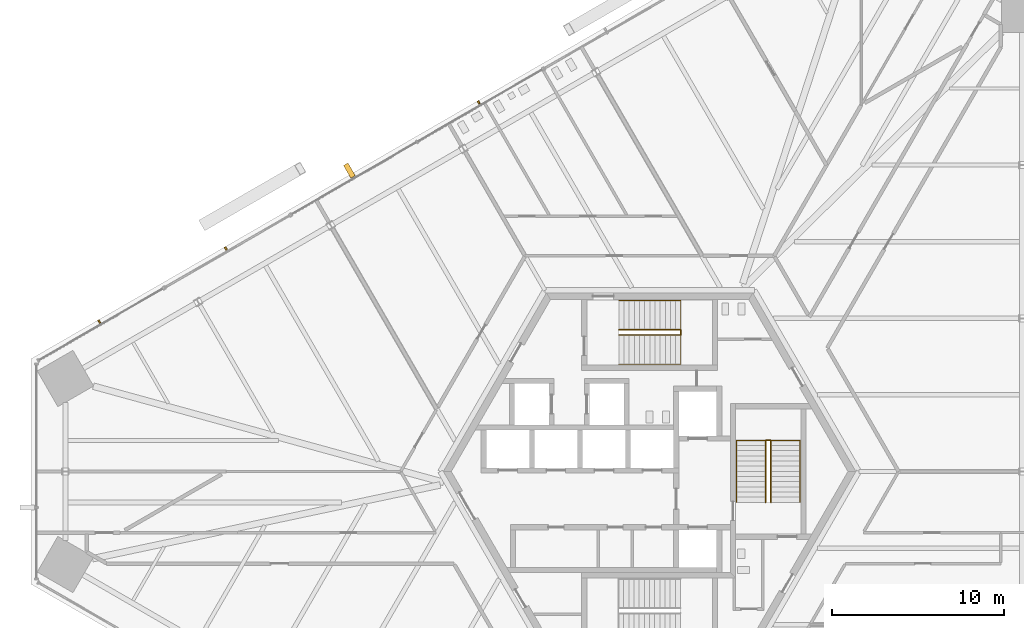
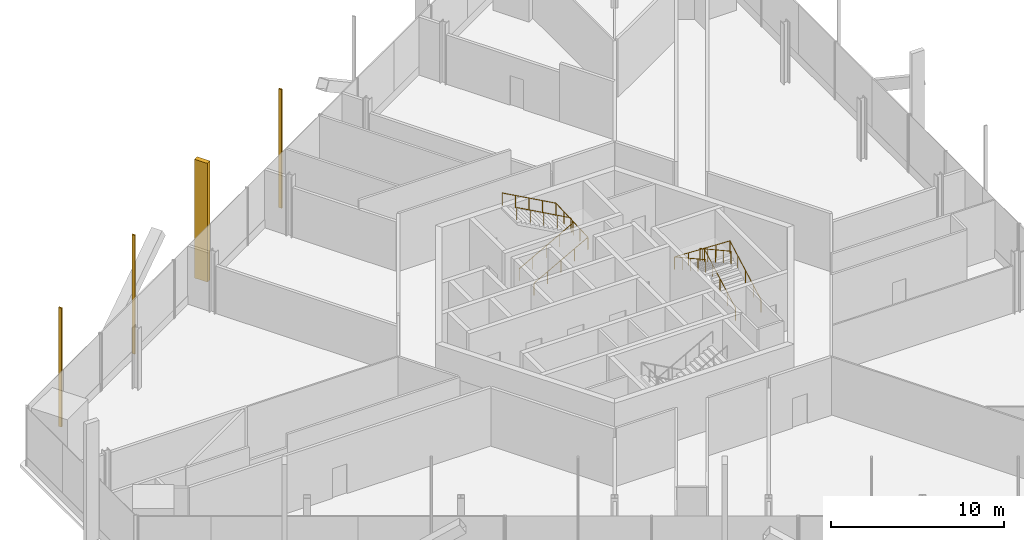
# One storey, part 17 of 19: 4 railings, 4 shading devices.
"""IFC4 building model written with IfcOpenShell, lengths in metres."""

import ifcopenshell
import ifcopenshell.guid

model = None  # the IFC model being written
_history = None  # IfcOwnerHistory: only IFC2X3 demands one
_inside = {}  # id of a spatial element -> (the spatial element, [elements in it])
_under = {}  # id of a project, library or spatial element -> (it, [spatial elements below it])
_declared = {}  # id of a project -> (the project, [libraries it declares])
_typed = {}  # id of a type object -> (the type object, [elements of that type])
_made_of = {}  # id of a material, layer set ... -> (it, [elements and type objects made of it])


def new_model(schema):
    """Start an empty IFC model of exactly this schema.

    Asked for "IFC4X3", IfcOpenShell would pick the latest addendum, in which some entities
    have other attributes; the version numbers below select the first issue.
    IFC2X3 requires an IfcOwnerHistory on every rooted entity: one is made here for all.
    """
    global model, _history
    if schema == "IFC4X3":
        model = ifcopenshell.file(schema_version=(4, 3, 0, 0))
    else:
        model = ifcopenshell.file(schema=schema)
    _inside.clear()
    _under.clear()
    _declared.clear()
    _typed.clear()
    _made_of.clear()
    _history = None
    if model.schema == "IFC2X3":
        org = make("IfcOrganization", Name="unknown")
        user = make(
            "IfcPersonAndOrganization",
            ThePerson=make("IfcPerson", FamilyName="unknown"),
            TheOrganization=org,
        )
        app = make(
            "IfcApplication",
            ApplicationDeveloper=org,
            Version="unknown",
            ApplicationFullName="unknown",
            ApplicationIdentifier="unknown",
        )
        _history = make(
            "IfcOwnerHistory",
            OwningUser=user,
            OwningApplication=app,
            ChangeAction="ADDED",
            CreationDate=0,
        )
    return model


def make(cls, **values):
    """One entity of the class cls with the attributes given. An attribute that is None is left unset."""
    return model.create_entity(
        cls, **{name: value for name, value in values.items() if value is not None}
    )


def rooted(cls, **values):
    """An entity with a GlobalId (a new one), such as an element, a storey or a relation."""
    return make(cls, GlobalId=ifcopenshell.guid.new(), OwnerHistory=_history, **values)


def si_unit(unit_type, name, prefix=None):
    """IfcSIUnit, for example si_unit("LENGTHUNIT", "METRE", prefix="MILLI")."""
    return make("IfcSIUnit", UnitType=unit_type, Prefix=prefix, Name=name)


def assignment(units):
    """IfcUnitAssignment: the units of a project."""
    return None if units is None else make("IfcUnitAssignment", Units=units)


def point(xyz):
    """IfcCartesianPoint."""
    return None if xyz is None else make("IfcCartesianPoint", Coordinates=xyz)


def direction(xyz):
    """IfcDirection."""
    return None if xyz is None else make("IfcDirection", DirectionRatios=xyz)


def frame(location, z_axis=None, x_axis=None):
    """IfcAxis2Placement3D, a coordinate frame: its origin and axes. An axis left out is left unset."""
    return make(
        "IfcAxis2Placement3D",
        Location=point(location),
        Axis=direction(z_axis),
        RefDirection=direction(x_axis),
    )


def frame_2d(location, x_axis=None):
    """IfcAxis2Placement2D, a coordinate frame in the plane: its origin and x axis."""
    return make(
        "IfcAxis2Placement2D", Location=point(location), RefDirection=direction(x_axis)
    )


def origin():
    """The frame at (0, 0, 0) with its axes left unset."""
    return frame((0.0, 0.0, 0.0))


def origin_2d():
    """The frame at (0, 0) in the plane with its x axis left unset."""
    return frame_2d((0.0, 0.0))


def place(relative_to, where):
    """IfcLocalPlacement: puts the frame where relative to a parent placement (None: the world)."""
    return make(
        "IfcLocalPlacement", PlacementRelTo=relative_to, RelativePlacement=where
    )


def context(
    kind, dimensions, precision=None, world=None, true_north=None, identifier=None
):
    """IfcGeometricRepresentationContext, for example the 3D "Model" context."""
    return make(
        "IfcGeometricRepresentationContext",
        ContextIdentifier=identifier,
        ContextType=kind,
        CoordinateSpaceDimension=dimensions,
        Precision=precision,
        WorldCoordinateSystem=world,
        TrueNorth=true_north,
    )


def subcontext(parent, identifier, kind, view, scale=None):
    """IfcGeometricRepresentationSubContext, for example "Body" below "Model"."""
    return make(
        "IfcGeometricRepresentationSubContext",
        ContextIdentifier=identifier,
        ContextType=kind,
        ParentContext=parent,
        TargetScale=scale,
        TargetView=view,
    )


def project(units=None, contexts=None):
    """IfcProject with its units and contexts."""
    return rooted(
        "IfcProject",
        Name="project",
        RepresentationContexts=contexts,
        UnitsInContext=assignment(units),
    )


def spatial(cls, under=None, at=None, **own):
    """A site, building, storey or space (cls), placed at a placement, below another one or the project."""
    s = rooted(cls, ObjectPlacement=at, **own)
    if under is not None:
        _under.setdefault(under.id(), (under, []))[1].append(s)
    return s


def profile(cls, at=None, kind="AREA", **sizes):
    """A parametric profile (cls). Its sizes go by their IFC names, for example OverallWidth=200.0."""
    return make(cls, ProfileType=kind, Position=at, **sizes)


def rectangle(**sizes):
    """IfcRectangleProfileDef."""
    return profile("IfcRectangleProfileDef", **sizes)


def circle(**sizes):
    """IfcCircleProfileDef."""
    return profile("IfcCircleProfileDef", **sizes)


def extrude(swept, where, along, depth):
    """IfcExtrudedAreaSolid: the profile swept, set in the frame where, extruded along a direction by depth."""
    return make(
        "IfcExtrudedAreaSolid",
        SweptArea=swept,
        Position=where,
        ExtrudedDirection=direction(along),
        Depth=depth,
    )


def shape(context_of_items, identifier, shape_type, items):
    """IfcShapeRepresentation: the items that make up one representation, for example the "Body"."""
    return make(
        "IfcShapeRepresentation",
        ContextOfItems=context_of_items,
        RepresentationIdentifier=identifier,
        RepresentationType=shape_type,
        Items=items,
    )


def source(mapping_origin, context_of_items, identifier, shape_type, items):
    """IfcRepresentationMap: a shape defined once, which mapped items show again and again."""
    return make(
        "IfcRepresentationMap",
        MappingOrigin=mapping_origin,
        MappedRepresentation=shape(context_of_items, identifier, shape_type, items),
    )


def transform(
    local_origin,
    x_axis=None,
    y_axis=None,
    z_axis=None,
    scale=None,
    scale2=None,
    scale3=None,
    uniform=True,
):
    """IfcCartesianTransformationOperator3D, or its non-uniform kind. x_axis, y_axis, z_axis: its Axis1, 2, 3."""
    if uniform:
        return make(
            "IfcCartesianTransformationOperator3D",
            Axis1=direction(x_axis),
            Axis2=direction(y_axis),
            LocalOrigin=point(local_origin),
            Scale=scale,
            Axis3=direction(z_axis),
        )
    return make(
        "IfcCartesianTransformationOperator3DnonUniform",
        Axis1=direction(x_axis),
        Axis2=direction(y_axis),
        LocalOrigin=point(local_origin),
        Scale=scale,
        Axis3=direction(z_axis),
        Scale2=scale2,
        Scale3=scale3,
    )


def mapped(mapping_source, mapping_target):
    """IfcMappedItem: shows the shape of a source again, moved by a transform."""
    return make(
        "IfcMappedItem", MappingSource=mapping_source, MappingTarget=mapping_target
    )


def material(Name=None, Category=None):
    """IfcMaterial."""
    return make("IfcMaterial", Name=Name, Category=Category)


def made_of(thing, what):
    """Note that an element or type object is made of a material, layer set ...; save() writes the relation."""
    if what is not None:
        _made_of.setdefault(what.id(), (what, []))[1].append(thing)
    return thing


def type_object(cls, material=None, **own):
    """A type object (cls), such as IfcWallType, which elements share."""
    return made_of(rooted(cls, **own), material)


def element(
    cls,
    number,
    at=None,
    inside=None,
    cuts=None,
    type_object=None,
    material=None,
    context=None,
    identifier="Body",
    shape_type=None,
    held_by="IfcProductDefinitionShape",
    body=None,
    shapes=None,
    **own,
):
    """One element of the class cls, such as IfcWall. Its Tag is "e" and its number.

    at: its placement. inside: the storey or other place that contains it. cuts: it is an
    opening in that element (IfcRelVoidsElement). A single representation is given by context,
    identifier, shape_type and body (its items); several are given by shapes. held_by: the class
    of the entity that holds the representations. save() writes the other relations.
    """
    e = rooted(cls, Tag="e%d" % number, ObjectPlacement=at, **own)
    if body is not None:
        shapes = [shape(context, identifier, shape_type, body)]
    if shapes is not None:
        e.Representation = make(held_by, Representations=shapes)
    if inside is not None:
        _inside.setdefault(inside.id(), (inside, []))[1].append(e)
    if cuts is not None:
        rooted(
            "IfcRelVoidsElement", RelatingBuildingElement=cuts, RelatedOpeningElement=e
        )
    if type_object is not None:
        _typed.setdefault(type_object.id(), (type_object, []))[1].append(e)
    return made_of(e, material)


def aggregate(whole, parts):
    """IfcRelAggregates: a whole, such as a stair, and the parts it consists of."""
    return rooted("IfcRelAggregates", RelatingObject=whole, RelatedObjects=parts)


def save(model, path):
    """Write the relations noted so far, then the file.

    IfcRelAggregates (storeys below a building ...), IfcRelContainedInSpatialStructure (elements
    in a storey), IfcRelDefinesByType, IfcRelAssociatesMaterial and IfcRelDeclares: one each for
    every whole, place, type object, material and project.
    """
    for whole, parts in _under.values():
        aggregate(whole, parts)
    for where, things in _inside.values():
        rooted(
            "IfcRelContainedInSpatialStructure",
            RelatedElements=things,
            RelatingStructure=where,
        )
    for kind, things in _typed.values():
        rooted("IfcRelDefinesByType", RelatedObjects=things, RelatingType=kind)
    for what, things in _made_of.values():
        rooted("IfcRelAssociatesMaterial", RelatedObjects=things, RelatingMaterial=what)
    for by, libraries in _declared.values():
        rooted("IfcRelDeclares", RelatingContext=by, RelatedDefinitions=libraries)
    model.write(path)


model = new_model("IFC4")

# Units and contexts
model_context = context("Model", 3, precision=1e-05, world=origin(), true_north=direction((0.0, 1.0)))
body_context = subcontext(model_context, "Body", "Model", "MODEL_VIEW")
ifc_project = project(units=[si_unit("LENGTHUNIT", "METRE"), si_unit("AREAUNIT", "SQUARE_METRE"), si_unit("VOLUMEUNIT", "CUBIC_METRE"), si_unit("PLANEANGLEUNIT", "RADIAN"), si_unit("MASSUNIT", "GRAM", prefix="KILO")], contexts=[model_context])

# Site, building, storey
site_placement = place(None, origin())
site = spatial("IfcSite", under=ifc_project, at=site_placement, CompositionType="ELEMENT")
building_placement = place(site_placement, origin())
building = spatial("IfcBuilding", under=site, at=building_placement, Name="Triune Harvest Tower", CompositionType="ELEMENT")
storey_placement = place(building_placement, frame((0.0, 0.0, 24.60009765625)))
storey = spatial("IfcBuildingStorey", under=building, at=storey_placement, Name="L05", CompositionType="ELEMENT", Elevation=24.60009765625)

# Railings
ifc_material_1 = material(Name="Stainless steel AISI 316", Category="steel")
railing_type = type_object("IfcRailingType", Name="Stair handrail", PredefinedType="HANDRAIL", material=ifc_material_1)
shared_shape_1 = source(origin(), body_context, "Body", "SweptSolid", [
    extrude(circle(Radius=0.02392578125, at=origin_2d()), frame((0.0, 0.0, 0.8759765625), z_axis=(0.875746539262, 0.0, 0.482771166259), x_axis=(0.0, 1.0, 0.0)), (0.0, 0.0, 1.0), 4.11083984375),
    extrude(circle(Radius=0.02392578125, at=origin_2d()), frame((3.60009765625, 0.0, 2.8603515625), z_axis=(0.0, 0.999003709343, 0.04462721948), x_axis=(-1.0, 0.0, 0.0)), (0.0, 0.0, 1.0), 3.70361328125),
    extrude(circle(Radius=0.02392578125, at=origin_2d()), frame((3.60009765625, 3.699951171875, 3.02587890625), z_axis=(-0.875746539262, 0.0, 0.482771166259), x_axis=(0.0, -1.0, 0.0)), (0.0, 0.0, 1.0), 4.11083984375),
    extrude(circle(Radius=0.02099609375, at=origin_2d()), origin(), (0.0, 0.0, 1.0), 0.851806640625),
    extrude(circle(Radius=0.02099609375, at=origin_2d()), frame((0.89990234375, 0.0, 0.49609375)), (0.0, 0.0, 1.0), 0.851806640625),
    extrude(circle(Radius=0.02099609375, at=origin_2d()), frame((1.800048828125, 0.0, 0.9921875)), (0.0, 0.0, 1.0), 0.851806640625),
    extrude(circle(Radius=0.02099609375, at=origin_2d()), frame((2.7001953125, 0.0, 1.488525390625)), (0.0, 0.0, 1.0), 0.851806640625),
    extrude(circle(Radius=0.02099609375, at=origin_2d()), frame((3.60009765625, 0.0, 1.984619140625)), (0.0, 0.0, 1.0), 0.851806640625),
    extrude(circle(Radius=0.02099609375, at=origin_2d()), frame((3.60009765625, 0.925048828125, 2.02587890625)), (0.0, 0.0, 1.0), 0.851806640625),
    extrude(circle(Radius=0.02099609375, at=origin_2d()), frame((3.60009765625, 1.85009765625, 2.0673828125)), (0.0, 0.0, 1.0), 0.851806640625),
    extrude(circle(Radius=0.02099609375, at=origin_2d()), frame((3.60009765625, 2.77490234375, 2.108642578125)), (0.0, 0.0, 1.0), 0.851806640625),
    extrude(circle(Radius=0.02099609375, at=origin_2d()), frame((3.60009765625, 3.699951171875, 2.14990234375)), (0.0, 0.0, 1.0), 0.851806640625),
    extrude(circle(Radius=0.02099609375, at=origin_2d()), frame((2.7001953125, 3.699951171875, 2.64599609375)), (0.0, 0.0, 1.0), 0.851806640625),
    extrude(circle(Radius=0.02099609375, at=origin_2d()), frame((1.800048828125, 3.699951171875, 3.14208984375)), (0.0, 0.0, 1.0), 0.851806640625),
    extrude(circle(Radius=0.02099609375, at=origin_2d()), frame((0.89990234375, 3.699951171875, 3.638427734375)), (0.0, 0.0, 1.0), 0.851806640625),
    extrude(circle(Radius=0.02099609375, at=origin_2d()), frame((0.0, 3.699951171875, 4.134521484375)), (0.0, 0.0, 1.0), 0.851806640625),
])
railing_1_placement = place(storey_placement, frame((-1.7900390625, 6.239990234375, 0.165283203125)))
element("IfcRailing", 1, at=railing_1_placement, inside=storey, type_object=railing_type, Name="Exit stair north wall handrail", PredefinedType="HANDRAIL", context=body_context, shape_type="MappedRepresentation", body=[
    mapped(shared_shape_1, transform((0.0, 0.0, 0.0), scale=1.0)),
])
shared_shape_2 = source(origin(), body_context, "Body", "SweptSolid", [
    extrude(circle(Radius=0.02392578125, at=origin_2d()), frame((0.0, 0.0, 0.8759765625), z_axis=(0.875746539262, 0.0, 0.482771166259), x_axis=(0.0, 1.0, 0.0)), (0.0, 0.0, 1.0), 4.11083984375),
    extrude(circle(Radius=0.02392578125, at=origin_2d()), frame((3.60009765625, 0.0, 2.8603515625), z_axis=(0.0, 0.875899727824, 0.48249317798), x_axis=(-1.0, 0.0, 0.0)), (0.0, 0.0, 1.0), 0.342529296875),
    extrude(circle(Radius=0.02392578125, at=origin_2d()), frame((3.60009765625, 0.300048828125, 3.02587890625), z_axis=(-0.875746539262, 0.0, 0.482771166259), x_axis=(0.0, -1.0, 0.0)), (0.0, 0.0, 1.0), 4.11083984375),
    extrude(circle(Radius=0.02099609375, at=origin_2d()), origin(), (0.0, 0.0, 1.0), 0.851806640625),
    extrude(circle(Radius=0.02099609375, at=origin_2d()), frame((0.89990234375, 0.0, 0.49609375)), (0.0, 0.0, 1.0), 0.851806640625),
    extrude(circle(Radius=0.02099609375, at=origin_2d()), frame((1.800048828125, 0.0, 0.9921875)), (0.0, 0.0, 1.0), 0.851806640625),
    extrude(circle(Radius=0.02099609375, at=origin_2d()), frame((2.7001953125, 0.0, 1.488525390625)), (0.0, 0.0, 1.0), 0.851806640625),
    extrude(circle(Radius=0.02099609375, at=origin_2d()), frame((3.60009765625, 0.0, 1.984619140625)), (0.0, 0.0, 1.0), 0.851806640625),
    extrude(circle(Radius=0.02099609375, at=origin_2d()), frame((3.60009765625, 0.300048828125, 2.14990234375)), (0.0, 0.0, 1.0), 0.851806640625),
    extrude(circle(Radius=0.02099609375, at=origin_2d()), frame((2.7001953125, 0.300048828125, 2.64599609375)), (0.0, 0.0, 1.0), 0.851806640625),
    extrude(circle(Radius=0.02099609375, at=origin_2d()), frame((1.800048828125, 0.300048828125, 3.14208984375)), (0.0, 0.0, 1.0), 0.851806640625),
    extrude(circle(Radius=0.02099609375, at=origin_2d()), frame((0.89990234375, 0.300048828125, 3.638427734375)), (0.0, 0.0, 1.0), 0.851806640625),
    extrude(circle(Radius=0.02099609375, at=origin_2d()), frame((0.0, 0.300048828125, 4.134521484375)), (0.0, 0.0, 1.0), 0.851806640625),
])
railing_2_placement = place(storey_placement, frame((-1.7900390625, 7.93994140625, 0.165283203125)))
element("IfcRailing", 2, at=railing_2_placement, inside=storey, type_object=railing_type, Name="Exit stair north centre handrail", PredefinedType="HANDRAIL", context=body_context, shape_type="MappedRepresentation", body=[
    mapped(shared_shape_2, transform((0.0, 0.0, 0.0), scale=1.0)),
])
shared_shape_3 = source(origin(), body_context, "Body", "SweptSolid", [
    extrude(circle(Radius=0.02392578125, at=origin_2d()), frame((0.0, 0.0, 0.8759765625), z_axis=(0.0, 0.875746539262, 0.482771166259), x_axis=(-1.0, 0.0, 0.0)), (0.0, 0.0, 1.0), 4.11083984375),
    extrude(circle(Radius=0.02392578125, at=origin_2d()), frame((0.0, 3.60009765625, 2.8603515625), z_axis=(-0.999003709343, 0.0, 0.04462721948), x_axis=(0.0, -1.0, 0.0)), (0.0, 0.0, 1.0), 3.70361328125),
    extrude(circle(Radius=0.02392578125, at=origin_2d()), frame((-3.699951171875, 3.60009765625, 3.02587890625), z_axis=(0.0, -0.875746539262, 0.482771166259), x_axis=(1.0, 0.0, 0.0)), (0.0, 0.0, 1.0), 4.11083984375),
    extrude(circle(Radius=0.02099609375, at=origin_2d()), origin(), (0.0, 0.0, 1.0), 0.851806640625),
    extrude(circle(Radius=0.02099609375, at=origin_2d()), frame((0.0, 0.89990234375, 0.49609375)), (0.0, 0.0, 1.0), 0.851806640625),
    extrude(circle(Radius=0.02099609375, at=origin_2d()), frame((0.0, 1.800048828125, 0.9921875)), (0.0, 0.0, 1.0), 0.851806640625),
    extrude(circle(Radius=0.02099609375, at=origin_2d()), frame((0.0, 2.7001953125, 1.488525390625)), (0.0, 0.0, 1.0), 0.851806640625),
    extrude(circle(Radius=0.02099609375, at=origin_2d()), frame((0.0, 3.60009765625, 1.984619140625)), (0.0, 0.0, 1.0), 0.851806640625),
    extrude(circle(Radius=0.02099609375, at=origin_2d()), frame((-0.925048828125, 3.60009765625, 2.02587890625)), (0.0, 0.0, 1.0), 0.851806640625),
    extrude(circle(Radius=0.02099609375, at=origin_2d()), frame((-1.85009765625, 3.60009765625, 2.0673828125)), (0.0, 0.0, 1.0), 0.851806640625),
    extrude(circle(Radius=0.02099609375, at=origin_2d()), frame((-2.77490234375, 3.60009765625, 2.108642578125)), (0.0, 0.0, 1.0), 0.851806640625),
    extrude(circle(Radius=0.02099609375, at=origin_2d()), frame((-3.699951171875, 3.60009765625, 2.14990234375)), (0.0, 0.0, 1.0), 0.851806640625),
    extrude(circle(Radius=0.02099609375, at=origin_2d()), frame((-3.699951171875, 2.7001953125, 2.64599609375)), (0.0, 0.0, 1.0), 0.851806640625),
    extrude(circle(Radius=0.02099609375, at=origin_2d()), frame((-3.699951171875, 1.800048828125, 3.14208984375)), (0.0, 0.0, 1.0), 0.851806640625),
    extrude(circle(Radius=0.02099609375, at=origin_2d()), frame((-3.699951171875, 0.89990234375, 3.638427734375)), (0.0, 0.0, 1.0), 0.851806640625),
    extrude(circle(Radius=0.02099609375, at=origin_2d()), frame((-3.699951171875, 0.0, 4.134521484375)), (0.0, 0.0, 1.0), 0.851806640625),
])
railing_3_placement = place(storey_placement, frame((8.75, -1.7900390625, 0.165283203125)))
element("IfcRailing", 3, at=railing_3_placement, inside=storey, type_object=railing_type, Name="Exit stair east wall handrail", PredefinedType="HANDRAIL", context=body_context, shape_type="MappedRepresentation", body=[
    mapped(shared_shape_3, transform((0.0, 0.0, 0.0), scale=1.0)),
])
shared_shape_4 = source(origin(), body_context, "Body", "SweptSolid", [
    extrude(circle(Radius=0.02392578125, at=origin_2d()), frame((0.0, 0.0, 0.8759765625), z_axis=(0.0, 0.875746539262, 0.482771166259), x_axis=(-1.0, 0.0, 0.0)), (0.0, 0.0, 1.0), 4.11083984375),
    extrude(circle(Radius=0.02392578125, at=origin_2d()), frame((0.0, 3.60009765625, 2.8603515625), z_axis=(-0.875899727824, 0.0, 0.48249317798), x_axis=(0.0, -1.0, 0.0)), (0.0, 0.0, 1.0), 0.342529296875),
    extrude(circle(Radius=0.02392578125, at=origin_2d()), frame((-0.300048828125, 3.60009765625, 3.02587890625), z_axis=(0.0, -0.875746539262, 0.482771166259), x_axis=(1.0, 0.0, 0.0)), (0.0, 0.0, 1.0), 4.11083984375),
    extrude(circle(Radius=0.02099609375, at=origin_2d()), origin(), (0.0, 0.0, 1.0), 0.851806640625),
    extrude(circle(Radius=0.02099609375, at=origin_2d()), frame((0.0, 0.89990234375, 0.49609375)), (0.0, 0.0, 1.0), 0.851806640625),
    extrude(circle(Radius=0.02099609375, at=origin_2d()), frame((0.0, 1.800048828125, 0.9921875)), (0.0, 0.0, 1.0), 0.851806640625),
    extrude(circle(Radius=0.02099609375, at=origin_2d()), frame((0.0, 2.7001953125, 1.488525390625)), (0.0, 0.0, 1.0), 0.851806640625),
    extrude(circle(Radius=0.02099609375, at=origin_2d()), frame((0.0, 3.60009765625, 1.984619140625)), (0.0, 0.0, 1.0), 0.851806640625),
    extrude(circle(Radius=0.02099609375, at=origin_2d()), frame((-0.300048828125, 3.60009765625, 2.14990234375)), (0.0, 0.0, 1.0), 0.851806640625),
    extrude(circle(Radius=0.02099609375, at=origin_2d()), frame((-0.300048828125, 2.7001953125, 2.64599609375)), (0.0, 0.0, 1.0), 0.851806640625),
    extrude(circle(Radius=0.02099609375, at=origin_2d()), frame((-0.300048828125, 1.800048828125, 3.14208984375)), (0.0, 0.0, 1.0), 0.851806640625),
    extrude(circle(Radius=0.02099609375, at=origin_2d()), frame((-0.300048828125, 0.89990234375, 3.638427734375)), (0.0, 0.0, 1.0), 0.851806640625),
    extrude(circle(Radius=0.02099609375, at=origin_2d()), frame((-0.300048828125, 0.0, 4.134521484375)), (0.0, 0.0, 1.0), 0.851806640625),
])
railing_4_placement = place(storey_placement, frame((7.050048828125, -1.7900390625, 0.165283203125)))
element("IfcRailing", 4, at=railing_4_placement, inside=storey, type_object=railing_type, Name="Exit stair east centre handrail", PredefinedType="HANDRAIL", context=body_context, shape_type="MappedRepresentation", body=[
    mapped(shared_shape_4, transform((0.0, 0.0, 0.0), scale=1.0)),
])

# Shading devices
ifc_material_2 = material(Name="Aluminium bronze anodised", Category="aluminium")
shared_shape_5 = source(origin(), body_context, "Body", "SweptSolid", [
    extrude(rectangle(XDim=0.10009765625, YDim=0.199951171875, at=origin_2d()), origin(), (0.0, 0.0, 1.0), 8.39990234375),
])
for number, where, z_axis, x_axis, name in (
    (5, (-9.946044921875, 21.4755859375, 0.0), (0.0, 0.0, 1.0), (-0.866025470037, -0.499999885247, 0.0), "FN-1 fin B1-F3.7 L05"),
    (6, (-24.6640625, 12.97802734375, 0.0), (0.0, 0.0, 1.0), (-0.866025470037, -0.499999885247, 0.0), "FN-1 fin B1-F3.11 L05"),
    (7, (-32.02294921875, 8.7294921875, 0.0), (0.0, 0.0, 1.0), (-0.866025470037, -0.499999885247, 0.0), "FN-1 fin B1-F3.13 L05"),
):
    element("IfcShadingDevice", number, at=place(storey_placement, frame(where, z_axis=z_axis, x_axis=x_axis)), inside=storey, material=ifc_material_2, Name=name, ObjectType="FIN", PredefinedType="USERDEFINED", context=body_context, shape_type="MappedRepresentation", body=[
        mapped(shared_shape_5, transform((0.0, 0.0, 0.0), scale=1.0)),
    ])
shared_shape_6 = source(origin(), body_context, "Body", "SweptSolid", [
    extrude(rectangle(XDim=0.300048828125, YDim=0.85009765625, at=origin_2d()), origin(), (0.0, 0.0, 1.0), 8.39990234375),
])
shading_device_placement = place(storey_placement, frame((-17.467529296875, 17.50830078125, 0.0), z_axis=(0.0, 0.0, 1.0), x_axis=(-0.866025470037, -0.499999885247, 0.0)))
element("IfcShadingDevice", 8, at=shading_device_placement, inside=storey, material=ifc_material_2, Name="FN-2 fin B1-F3.9 L05", ObjectType="FIN", PredefinedType="USERDEFINED", context=body_context, shape_type="MappedRepresentation", body=[
    mapped(shared_shape_6, transform((0.0, 0.0, 0.0), scale=1.0)),
])

save(model, "model.ifc")
